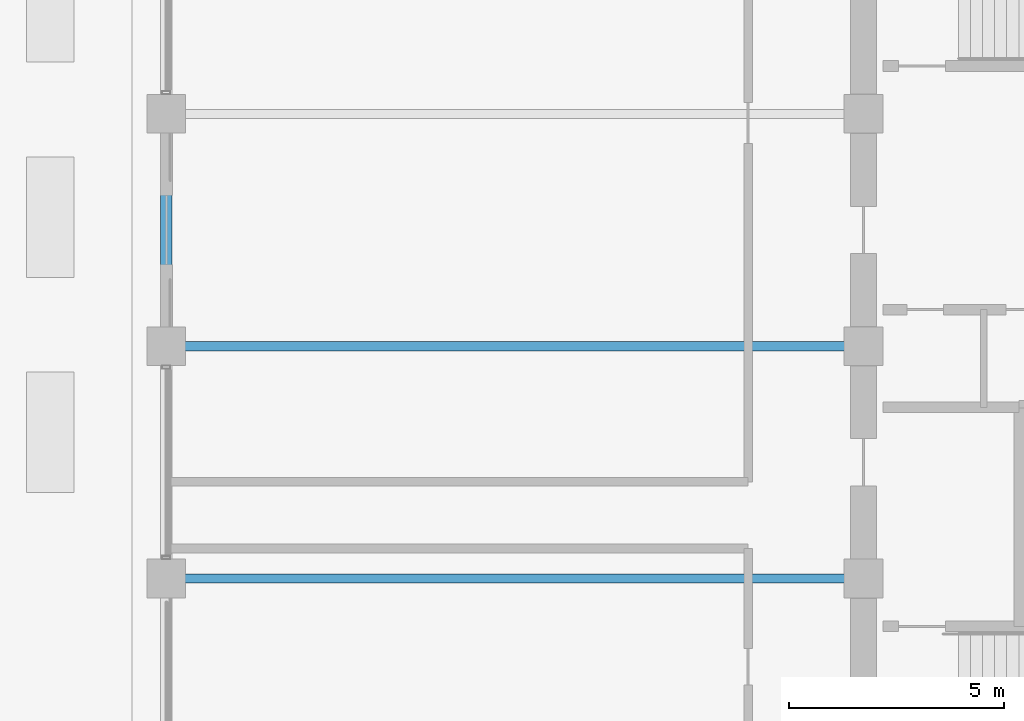
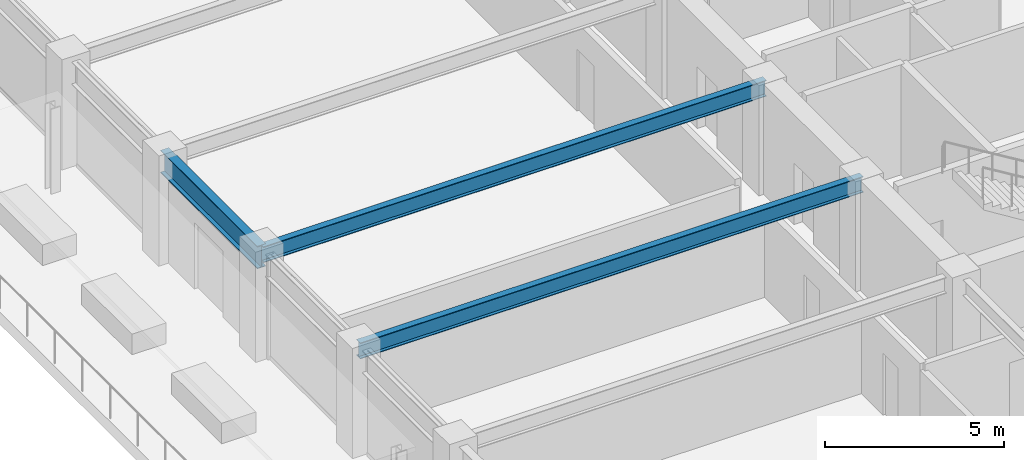
# One storey, part 8 of 36: 3 beams.
"""IFC4 building model written with IfcOpenShell, lengths in metres."""

import ifcopenshell
import ifcopenshell.guid

model = None  # the IFC model being written
_history = None  # IfcOwnerHistory: only IFC2X3 demands one
_inside = {}  # id of a spatial element -> (the spatial element, [elements in it])
_under = {}  # id of a project, library or spatial element -> (it, [spatial elements below it])
_declared = {}  # id of a project -> (the project, [libraries it declares])
_typed = {}  # id of a type object -> (the type object, [elements of that type])
_made_of = {}  # id of a material, layer set ... -> (it, [elements and type objects made of it])


def new_model(schema):
    """Start an empty IFC model of exactly this schema.

    Asked for "IFC4X3", IfcOpenShell would pick the latest addendum, in which some entities
    have other attributes; the version numbers below select the first issue.
    IFC2X3 requires an IfcOwnerHistory on every rooted entity: one is made here for all.
    """
    global model, _history
    if schema == "IFC4X3":
        model = ifcopenshell.file(schema_version=(4, 3, 0, 0))
    else:
        model = ifcopenshell.file(schema=schema)
    _inside.clear()
    _under.clear()
    _declared.clear()
    _typed.clear()
    _made_of.clear()
    _history = None
    if model.schema == "IFC2X3":
        org = make("IfcOrganization", Name="unknown")
        user = make(
            "IfcPersonAndOrganization",
            ThePerson=make("IfcPerson", FamilyName="unknown"),
            TheOrganization=org,
        )
        app = make(
            "IfcApplication",
            ApplicationDeveloper=org,
            Version="unknown",
            ApplicationFullName="unknown",
            ApplicationIdentifier="unknown",
        )
        _history = make(
            "IfcOwnerHistory",
            OwningUser=user,
            OwningApplication=app,
            ChangeAction="ADDED",
            CreationDate=0,
        )
    return model


def make(cls, **values):
    """One entity of the class cls with the attributes given. An attribute that is None is left unset."""
    return model.create_entity(
        cls, **{name: value for name, value in values.items() if value is not None}
    )


def rooted(cls, **values):
    """An entity with a GlobalId (a new one), such as an element, a storey or a relation."""
    return make(cls, GlobalId=ifcopenshell.guid.new(), OwnerHistory=_history, **values)


def si_unit(unit_type, name, prefix=None):
    """IfcSIUnit, for example si_unit("LENGTHUNIT", "METRE", prefix="MILLI")."""
    return make("IfcSIUnit", UnitType=unit_type, Prefix=prefix, Name=name)


def assignment(units):
    """IfcUnitAssignment: the units of a project."""
    return None if units is None else make("IfcUnitAssignment", Units=units)


def point(xyz):
    """IfcCartesianPoint."""
    return None if xyz is None else make("IfcCartesianPoint", Coordinates=xyz)


def direction(xyz):
    """IfcDirection."""
    return None if xyz is None else make("IfcDirection", DirectionRatios=xyz)


def frame(location, z_axis=None, x_axis=None):
    """IfcAxis2Placement3D, a coordinate frame: its origin and axes. An axis left out is left unset."""
    return make(
        "IfcAxis2Placement3D",
        Location=point(location),
        Axis=direction(z_axis),
        RefDirection=direction(x_axis),
    )


def frame_2d(location, x_axis=None):
    """IfcAxis2Placement2D, a coordinate frame in the plane: its origin and x axis."""
    return make(
        "IfcAxis2Placement2D", Location=point(location), RefDirection=direction(x_axis)
    )


def origin():
    """The frame at (0, 0, 0) with its axes left unset."""
    return frame((0.0, 0.0, 0.0))


def origin_2d():
    """The frame at (0, 0) in the plane with its x axis left unset."""
    return frame_2d((0.0, 0.0))


def place(relative_to, where):
    """IfcLocalPlacement: puts the frame where relative to a parent placement (None: the world)."""
    return make(
        "IfcLocalPlacement", PlacementRelTo=relative_to, RelativePlacement=where
    )


def context(
    kind, dimensions, precision=None, world=None, true_north=None, identifier=None
):
    """IfcGeometricRepresentationContext, for example the 3D "Model" context."""
    return make(
        "IfcGeometricRepresentationContext",
        ContextIdentifier=identifier,
        ContextType=kind,
        CoordinateSpaceDimension=dimensions,
        Precision=precision,
        WorldCoordinateSystem=world,
        TrueNorth=true_north,
    )


def subcontext(parent, identifier, kind, view, scale=None):
    """IfcGeometricRepresentationSubContext, for example "Body" below "Model"."""
    return make(
        "IfcGeometricRepresentationSubContext",
        ContextIdentifier=identifier,
        ContextType=kind,
        ParentContext=parent,
        TargetScale=scale,
        TargetView=view,
    )


def project(units=None, contexts=None):
    """IfcProject with its units and contexts."""
    return rooted(
        "IfcProject",
        Name="project",
        RepresentationContexts=contexts,
        UnitsInContext=assignment(units),
    )


def spatial(cls, under=None, at=None, **own):
    """A site, building, storey or space (cls), placed at a placement, below another one or the project."""
    s = rooted(cls, ObjectPlacement=at, **own)
    if under is not None:
        _under.setdefault(under.id(), (under, []))[1].append(s)
    return s


def profile(cls, at=None, kind="AREA", **sizes):
    """A parametric profile (cls). Its sizes go by their IFC names, for example OverallWidth=200.0."""
    return make(cls, ProfileType=kind, Position=at, **sizes)


def i_section(**sizes):
    """IfcIShapeProfileDef."""
    return profile("IfcIShapeProfileDef", **sizes)


def extrude(swept, where, along, depth):
    """IfcExtrudedAreaSolid: the profile swept, set in the frame where, extruded along a direction by depth."""
    return make(
        "IfcExtrudedAreaSolid",
        SweptArea=swept,
        Position=where,
        ExtrudedDirection=direction(along),
        Depth=depth,
    )


def shape(context_of_items, identifier, shape_type, items):
    """IfcShapeRepresentation: the items that make up one representation, for example the "Body"."""
    return make(
        "IfcShapeRepresentation",
        ContextOfItems=context_of_items,
        RepresentationIdentifier=identifier,
        RepresentationType=shape_type,
        Items=items,
    )


def material(Name=None, Category=None):
    """IfcMaterial."""
    return make("IfcMaterial", Name=Name, Category=Category)


def material_profile(
    of_material, cross_section, Name=None, Category=None, Priority=None
):
    """IfcMaterialProfile: a cross section and its material."""
    return make(
        "IfcMaterialProfile",
        Name=Name,
        Material=of_material,
        Profile=cross_section,
        Priority=Priority,
        Category=Category,
    )


def profile_set(profiles, Name=None, composite=None):
    """IfcMaterialProfileSet."""
    return make(
        "IfcMaterialProfileSet",
        Name=Name,
        MaterialProfiles=profiles,
        CompositeProfile=composite,
    )


def made_of(thing, what):
    """Note that an element or type object is made of a material, layer set ...; save() writes the relation."""
    if what is not None:
        _made_of.setdefault(what.id(), (what, []))[1].append(thing)
    return thing


def type_object(cls, material=None, **own):
    """A type object (cls), such as IfcWallType, which elements share."""
    return made_of(rooted(cls, **own), material)


def element(
    cls,
    number,
    at=None,
    inside=None,
    cuts=None,
    type_object=None,
    material=None,
    context=None,
    identifier="Body",
    shape_type=None,
    held_by="IfcProductDefinitionShape",
    body=None,
    shapes=None,
    **own,
):
    """One element of the class cls, such as IfcWall. Its Tag is "e" and its number.

    at: its placement. inside: the storey or other place that contains it. cuts: it is an
    opening in that element (IfcRelVoidsElement). A single representation is given by context,
    identifier, shape_type and body (its items); several are given by shapes. held_by: the class
    of the entity that holds the representations. save() writes the other relations.
    """
    e = rooted(cls, Tag="e%d" % number, ObjectPlacement=at, **own)
    if body is not None:
        shapes = [shape(context, identifier, shape_type, body)]
    if shapes is not None:
        e.Representation = make(held_by, Representations=shapes)
    if inside is not None:
        _inside.setdefault(inside.id(), (inside, []))[1].append(e)
    if cuts is not None:
        rooted(
            "IfcRelVoidsElement", RelatingBuildingElement=cuts, RelatedOpeningElement=e
        )
    if type_object is not None:
        _typed.setdefault(type_object.id(), (type_object, []))[1].append(e)
    return made_of(e, material)


def aggregate(whole, parts):
    """IfcRelAggregates: a whole, such as a stair, and the parts it consists of."""
    return rooted("IfcRelAggregates", RelatingObject=whole, RelatedObjects=parts)


def save(model, path):
    """Write the relations noted so far, then the file.

    IfcRelAggregates (storeys below a building ...), IfcRelContainedInSpatialStructure (elements
    in a storey), IfcRelDefinesByType, IfcRelAssociatesMaterial and IfcRelDeclares: one each for
    every whole, place, type object, material and project.
    """
    for whole, parts in _under.values():
        aggregate(whole, parts)
    for where, things in _inside.values():
        rooted(
            "IfcRelContainedInSpatialStructure",
            RelatedElements=things,
            RelatingStructure=where,
        )
    for kind, things in _typed.values():
        rooted("IfcRelDefinesByType", RelatedObjects=things, RelatingType=kind)
    for what, things in _made_of.values():
        rooted("IfcRelAssociatesMaterial", RelatedObjects=things, RelatingMaterial=what)
    for by, libraries in _declared.values():
        rooted("IfcRelDeclares", RelatingContext=by, RelatedDefinitions=libraries)
    model.write(path)


model = new_model("IFC4")

# Units and contexts
model_context = context("Model", 3, precision=1e-05, world=origin(), true_north=direction((0.0, 1.0)))
body_context = subcontext(model_context, "Body", "Model", "MODEL_VIEW")
ifc_project = project(units=[si_unit("LENGTHUNIT", "METRE"), si_unit("AREAUNIT", "SQUARE_METRE"), si_unit("VOLUMEUNIT", "CUBIC_METRE"), si_unit("PLANEANGLEUNIT", "RADIAN"), si_unit("MASSUNIT", "GRAM", prefix="KILO")], contexts=[model_context])

# Site, building, storey
site_placement = place(None, origin())
site = spatial("IfcSite", under=ifc_project, at=site_placement, CompositionType="ELEMENT")
building_placement = place(site_placement, origin())
building = spatial("IfcBuilding", under=site, at=building_placement, Name="Surkhivell Harbour Commons", CompositionType="ELEMENT")
storey_placement = place(building_placement, frame((0.0, 0.0, 171.0)))
storey = spatial("IfcBuildingStorey", under=building, at=storey_placement, Name="L44", CompositionType="ELEMENT", Elevation=171.0)

# Beams
ifc_material = material(Name="Steel S355", Category="steel")
ifc_material_profile_1 = material_profile(ifc_material, i_section(OverallWidth=0.2119140625, OverallDepth=0.5439453125, WebThickness=0.0126953125, FlangeThickness=0.021240234375, at=origin_2d()), Name="UB533x210x122")
ifc_profile_set_1 = profile_set([ifc_material_profile_1], Name="Steel S355")
beam_type_1 = type_object("IfcBeamType", Name="BM-GRD-533A", PredefinedType="BEAM", material=ifc_profile_set_1)
for number, where, z_axis, x_axis, name in (
    (1, (-27.0, -5.39990234375, 3.298095703125), (1.0, 0.0, 0.0), (0.0, 1.0, 0.0), "L44 Floor Girder (-27.0,-5.4)"),
    (2, (-27.0, 0.0, 3.298095703125), (1.0, 0.0, 0.0), (0.0, 1.0, 0.0), "L44 Floor Girder (-27.0,0.0)"),
):
    element("IfcBeam", number, at=place(storey_placement, frame(where, z_axis=z_axis, x_axis=x_axis)), inside=storey, type_object=beam_type_1, Name=name, PredefinedType="BEAM", context=body_context, shape_type="SweptSolid", body=[
        extrude(i_section(OverallWidth=0.2119140625, OverallDepth=0.5439453125, WebThickness=0.0126953125, FlangeThickness=0.021240234375, at=origin_2d()), origin(), (0.0, 0.0, 1.0), 16.199951171875),
    ])
ifc_material_profile_2 = material_profile(ifc_material, i_section(OverallWidth=0.26806640625, OverallDepth=0.77001953125, WebThickness=0.015625, FlangeThickness=0.025390625, at=origin_2d()), Name="UB762x267x197")
ifc_profile_set_2 = profile_set([ifc_material_profile_2], Name="Steel S355")
beam_type_2 = type_object("IfcBeamType", Name="BM-SPN-762", PredefinedType="SPANDREL", material=ifc_profile_set_2)
beam_placement = place(storey_placement, frame((-27.0, 0.0, 3.18505859375), z_axis=(0.0, 1.0, 0.0), x_axis=(-1.0, 0.0, 0.0)))
element("IfcBeam", 3, at=beam_placement, inside=storey, type_object=beam_type_2, Name="L44 Tube Spandrel (-27.0,0.0)", PredefinedType="SPANDREL", context=body_context, shape_type="SweptSolid", body=[
    extrude(i_section(OverallWidth=0.26806640625, OverallDepth=0.77001953125, WebThickness=0.015625, FlangeThickness=0.025390625, at=origin_2d()), origin(), (0.0, 0.0, 1.0), 5.39990234375),
])

save(model, "model.ifc")
